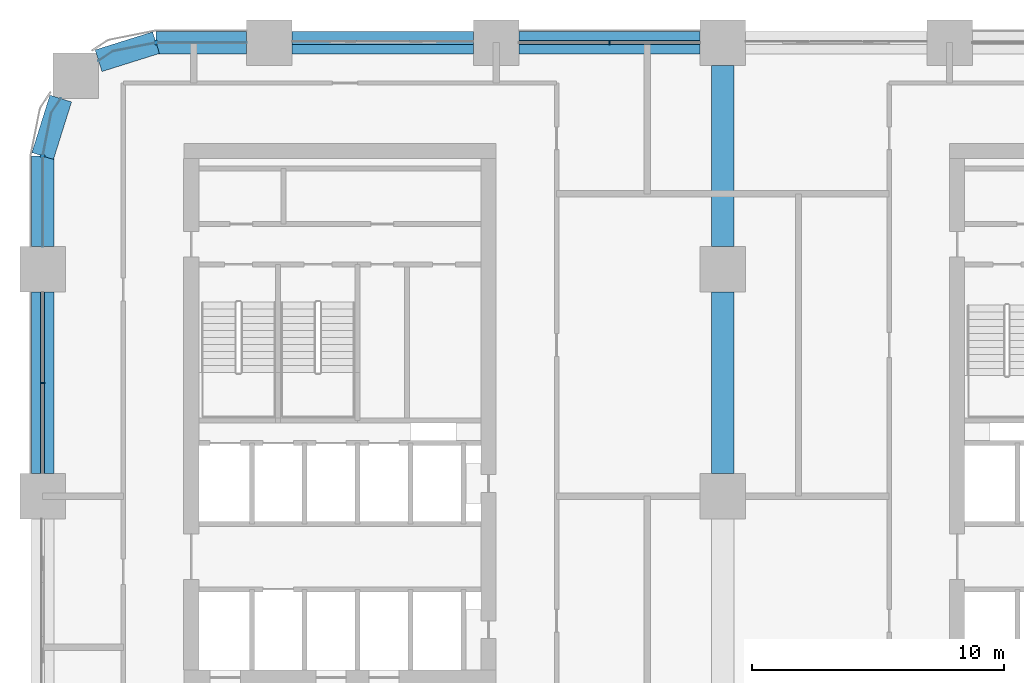
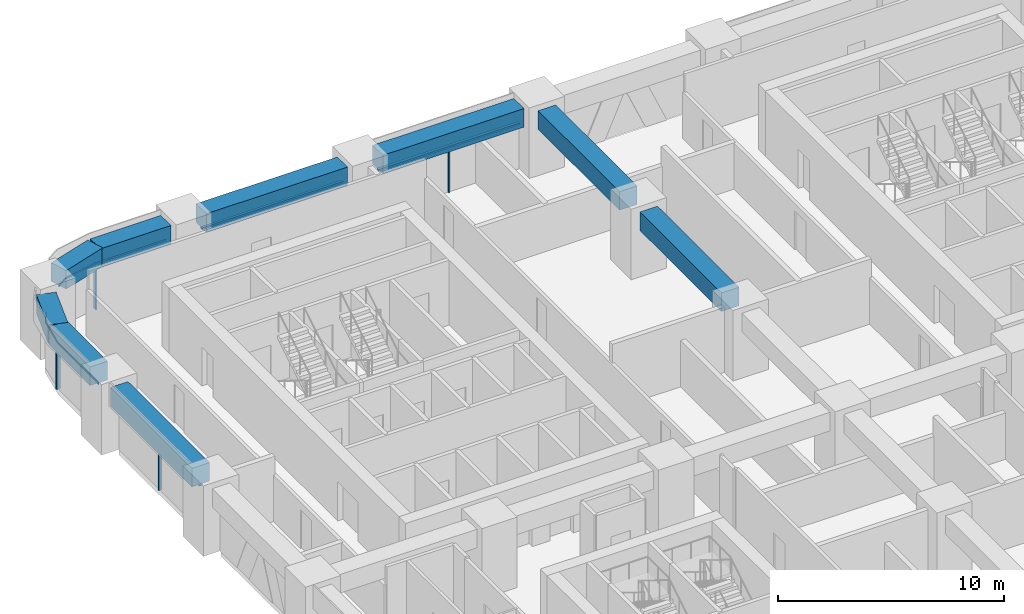
# One storey, part 8 of 21: 9 beams, 9 members, 5 elements without a shape of their own.
"""IFC4 building model written with IfcOpenShell, lengths in metres."""

from ifc_helpers import new_model, si_unit, direction, frame, origin, origin_2d, place, context, subcontext, project, spatial, polyline, rectangle, outline, extrude, material, material_profile, profile_set, type_object, element, aggregate, save


model = new_model("IFC4")

# Units and contexts
model_context = context("Model", 3, precision=1e-05, world=origin(), true_north=direction((0.0, 1.0)))
body_context = subcontext(model_context, "Body", "Model", "MODEL_VIEW")
ifc_project = project(units=[si_unit("LENGTHUNIT", "METRE"), si_unit("AREAUNIT", "SQUARE_METRE"), si_unit("VOLUMEUNIT", "CUBIC_METRE"), si_unit("PLANEANGLEUNIT", "RADIAN"), si_unit("MASSUNIT", "GRAM", prefix="KILO")], contexts=[model_context])

# Site, building, storey
site_placement = place(None, origin())
site = spatial("IfcSite", under=ifc_project, at=site_placement, CompositionType="ELEMENT")
building_placement = place(site_placement, origin())
building = spatial("IfcBuilding", under=site, at=building_placement, Name="Tessera Arch", CompositionType="ELEMENT")
storey_placement = place(building_placement, frame((0.0, 0.0, 65.199951171875)))
storey = spatial("IfcBuildingStorey", under=building, at=storey_placement, Name="L14", CompositionType="ELEMENT", Elevation=65.199951171875)

# Curtain wall, member
ifc_material_1 = material(Name="CW1 curtain wall")
curtain_wall_type_1 = type_object("IfcCurtainWallType", Name="CW1 curtain wall", PredefinedType="NOTDEFINED", material=ifc_material_1)
curtain_wall_1_placement = place(storey_placement, origin())
curtain_wall_1 = element("IfcCurtainWall", 1, at=curtain_wall_1_placement, inside=storey, type_object=curtain_wall_type_1, Name="CW1 curtain wall N54.0/3 L14", PredefinedType="NOTDEFINED")
ifc_material_2 = material(Name="Anodised aluminium pale metal", Category="aluminium")
ifc_material_profile_1 = material_profile(ifc_material_2, rectangle(XDim=0.159912109375, YDim=0.06005859375, at=origin_2d()), Name="AL 60x160")
ifc_profile_set_1 = profile_set([ifc_material_profile_1], Name="Anodised aluminium pale metal")
member_type_1 = type_object("IfcMemberType", Name="CW1 mullion", PredefinedType="MULLION", material=ifc_profile_set_1)
member_1_placement = place(storey_placement, frame((22.5, 54.0, 0.0), z_axis=(0.0, 0.0, 1.0), x_axis=(0.0, -1.0, 0.0)))
member_1 = element("IfcMember", 2, at=member_1_placement, type_object=member_type_1, Name="CW1 mullion N54.0/3 1", PredefinedType="MULLION", context=body_context, shape_type="SweptSolid", body=[
    extrude(rectangle(XDim=0.159912109375, YDim=0.06005859375, at=origin_2d()), origin(), (0.0, 0.0, 1.0), 2.400146484375),
])

curtain_wall_2_placement = place(storey_placement, origin())
curtain_wall_2 = element("IfcCurtainWall", 3, at=curtain_wall_2_placement, inside=storey, type_object=curtain_wall_type_1, Name="CW1 curtain wall W0.0/1 L14", PredefinedType="NOTDEFINED")
member_2_placement = place(storey_placement, frame((0.0, 40.5, 0.0), z_axis=(0.0, 0.0, 1.0), x_axis=(1.0, 0.0, 0.0)))
member_2 = element("IfcMember", 4, at=member_2_placement, type_object=member_type_1, Name="CW1 mullion W0.0/1 1", PredefinedType="MULLION", context=body_context, shape_type="SweptSolid", body=[
    extrude(rectangle(XDim=0.159912109375, YDim=0.06005859375, at=origin_2d()), origin(), (0.0, 0.0, 1.0), 2.400146484375),
])

# Member
ifc_material_3 = material(Name="Anodised aluminium pale metal", Category="aluminium")
ifc_material_profile_2 = material_profile(ifc_material_3, rectangle(XDim=0.159912109375, YDim=0.10009765625, at=origin_2d()), Name="AL 160x100")
ifc_profile_set_2 = profile_set([ifc_material_profile_2], Name="Anodised aluminium pale metal")
member_type_2 = type_object("IfcMemberType", Name="CW1 transom", PredefinedType="USERDEFINED", material=ifc_profile_set_2)
member_3_placement = place(storey_placement, frame((26.10009765625, 54.0, 2.449951171875), z_axis=(-1.0, 0.0, 0.0), x_axis=(0.0, -1.0, 0.0)))
member_3 = element("IfcMember", 5, at=member_3_placement, type_object=member_type_2, Name="CW1 transom N54.0/3 1.1", ObjectType="TRANSOM", PredefinedType="USERDEFINED", context=body_context, shape_type="SweptSolid", body=[
    extrude(rectangle(XDim=0.159912109375, YDim=0.10009765625, at=origin_2d()), origin(), (0.0, 0.0, 1.0), 7.2001953125),
])

aggregate(curtain_wall_1, [member_1, member_3])

member_4_placement = place(storey_placement, frame((0.0, 44.10009765625, 2.449951171875), z_axis=(0.0, -1.0, 0.0), x_axis=(1.0, 0.0, 0.0)))
member_4 = element("IfcMember", 6, at=member_4_placement, type_object=member_type_2, Name="CW1 transom W0.0/1 1.1", ObjectType="TRANSOM", PredefinedType="USERDEFINED", context=body_context, shape_type="SweptSolid", body=[
    extrude(rectangle(XDim=0.159912109375, YDim=0.10009765625, at=origin_2d()), origin(), (0.0, 0.0, 1.0), 7.2001953125),
])

aggregate(curtain_wall_2, [member_2, member_4])

# Curtain wall, member
ifc_material_4 = material(Name="CW2 curtain wall")
curtain_wall_type_2 = type_object("IfcCurtainWallType", Name="CW2 curtain wall", PredefinedType="NOTDEFINED", material=ifc_material_4)
curtain_wall_3_placement = place(storey_placement, origin())
curtain_wall_3 = element("IfcCurtainWall", 7, at=curtain_wall_3_placement, inside=storey, type_object=curtain_wall_type_2, Name="CW2 curtain wall N54.0/5 L14", PredefinedType="NOTDEFINED")
ifc_material_5 = material(Name="Anodised aluminium pale metal", Category="aluminium")
ifc_material_profile_3 = material_profile(ifc_material_5, rectangle(XDim=0.199951171875, YDim=0.080078125, at=origin_2d()), Name="AL 80x200")
ifc_profile_set_3 = profile_set([ifc_material_profile_3], Name="Anodised aluminium pale metal")
member_type_3 = type_object("IfcMemberType", Name="CW2 mullion", PredefinedType="MULLION", material=ifc_profile_set_3)
member_5_placement = place(storey_placement, frame((4.5, 54.0, 0.0), z_axis=(0.0, 0.0, 1.0), x_axis=(0.0, -1.0, 0.0)))
member_5 = element("IfcMember", 8, at=member_5_placement, type_object=member_type_3, Name="CW2 mullion N54.0/5 1", PredefinedType="MULLION", context=body_context, shape_type="SweptSolid", body=[
    extrude(rectangle(XDim=0.199951171875, YDim=0.080078125, at=origin_2d()), origin(), (0.0, 0.0, 1.0), 2.400146484375),
])

curtain_wall_4_placement = place(storey_placement, origin())
curtain_wall_4 = element("IfcCurtainWall", 9, at=curtain_wall_4_placement, inside=storey, type_object=curtain_wall_type_2, Name="CW2 curtain wall W0.0/0 L14", PredefinedType="NOTDEFINED")
member_6_placement = place(storey_placement, frame((0.0, 49.5, 0.0), z_axis=(0.0, 0.0, 1.0), x_axis=(1.0, 0.0, 0.0)))
member_6 = element("IfcMember", 10, at=member_6_placement, type_object=member_type_3, Name="CW2 mullion W0.0/0 1", PredefinedType="MULLION", context=body_context, shape_type="SweptSolid", body=[
    extrude(rectangle(XDim=0.199951171875, YDim=0.080078125, at=origin_2d()), origin(), (0.0, 0.0, 1.0), 2.400146484375),
])

# Member
ifc_material_6 = material(Name="Anodised aluminium pale metal", Category="aluminium")
ifc_material_profile_4 = material_profile(ifc_material_6, rectangle(XDim=0.199951171875, YDim=0.10009765625, at=origin_2d()), Name="AL 200x100")
ifc_profile_set_4 = profile_set([ifc_material_profile_4], Name="Anodised aluminium pale metal")
member_type_4 = type_object("IfcMemberType", Name="CW2 transom", PredefinedType="USERDEFINED", material=ifc_profile_set_4)
member_7_placement = place(storey_placement, frame((0.0, 0.0, 2.400146484375)))
member_7 = element("IfcMember", 11, at=member_7_placement, type_object=member_type_4, Name="CW2 transom N54.0/5 1", ObjectType="TRANSOM", PredefinedType="USERDEFINED", context=body_context, shape_type="SweptSolid", body=[
    extrude(outline(polyline([(4.5009765625, 53.989990234375), (8.10009765625, 53.989990234375), (8.10009765625, 54.010009765625), (4.4990234375, 54.010009765625), (2.77392578125, 53.6669921875), (2.21240234375, 53.29150390625), (2.2236328125, 53.27490234375), (2.78173828125, 53.648193359375), (4.5009765625, 53.989990234375)])), origin(), (0.0, 0.0, 1.0), 0.099853515625),
])

aggregate(curtain_wall_3, [member_5, member_7])

member_8_placement = place(storey_placement, frame((0.0, 0.0, 2.400146484375)))
member_8 = element("IfcMember", 12, at=member_8_placement, type_object=member_type_4, Name="CW2 transom W0.0/0 1", ObjectType="TRANSOM", PredefinedType="USERDEFINED", context=body_context, shape_type="SweptSolid", body=[
    extrude(outline(polyline([(0.351806640625, 51.21826171875), (0.72509765625, 51.7763671875), (0.70849609375, 51.78759765625), (0.3330078125, 51.22607421875), (-0.010009765625, 49.5009765625), (-0.010009765625, 45.89990234375), (0.010009765625, 45.89990234375), (0.010009765625, 49.4990234375), (0.351806640625, 51.21826171875)])), origin(), (0.0, 0.0, 1.0), 0.099853515625),
])

aggregate(curtain_wall_4, [member_6, member_8])

# Curtain wall, member
ifc_material_7 = material(Name="CW3 curtain wall")
curtain_wall_type_3 = type_object("IfcCurtainWallType", Name="CW3 curtain wall", PredefinedType="NOTDEFINED", material=ifc_material_7)
curtain_wall_5_placement = place(storey_placement, origin())
curtain_wall_5 = element("IfcCurtainWall", 13, at=curtain_wall_5_placement, inside=storey, type_object=curtain_wall_type_3, Name="CW3 curtain wall N54.0/4 L14", PredefinedType="NOTDEFINED")
ifc_material_8 = material(Name="Anodised aluminium pale metal", Category="aluminium")
ifc_material_profile_5 = material_profile(ifc_material_8, rectangle(XDim=0.139892578125, YDim=0.10009765625, at=origin_2d()), Name="AL 140x100")
ifc_profile_set_5 = profile_set([ifc_material_profile_5], Name="Anodised aluminium pale metal")
member_type_5 = type_object("IfcMemberType", Name="CW3 transom", PredefinedType="USERDEFINED", material=ifc_profile_set_5)
member_9_placement = place(storey_placement, frame((17.10009765625, 54.0, 2.449951171875), z_axis=(-1.0, 0.0, 0.0), x_axis=(0.0, -1.0, 0.0)))
member_9 = element("IfcMember", 14, at=member_9_placement, type_object=member_type_5, Name="CW3 transom N54.0/4 1.1", ObjectType="TRANSOM", PredefinedType="USERDEFINED", context=body_context, shape_type="SweptSolid", body=[
    extrude(rectangle(XDim=0.139892578125, YDim=0.10009765625, at=origin_2d()), origin(), (0.0, 0.0, 1.0), 7.2001953125),
])
aggregate(curtain_wall_5, [member_9])

# Beams
ifc_material_9 = material(Name="Concrete C80/95", Category="concrete")
ifc_material_profile_6 = material_profile(ifc_material_9, rectangle(XDim=0.89990234375, YDim=1.0, at=origin_2d()), Name="RC spandrel beam 900 x 1000 Concrete C80/95")
ifc_profile_set_6 = profile_set([ifc_material_profile_6], Name="Concrete C80/95")
beam_type = type_object("IfcBeamType", Name="RC spandrel beam 900 x 1000 Concrete C80/95", PredefinedType="BEAM", material=ifc_profile_set_6)
for number, where, z_axis, x_axis, name in (
    (15, (26.10009765625, 54.0, 3.0), (-1.0, 0.0, 0.0), (0.0, -1.0, 0.0), "Spandrel beam L14 N54.0/3"),
    (16, (17.10009765625, 54.0, 3.0), (-1.0, 0.0, 0.0), (0.0, -1.0, 0.0), "Spandrel beam L14 N54.0/4"),
):
    element("IfcBeam", number, at=place(storey_placement, frame(where, z_axis=z_axis, x_axis=x_axis)), inside=storey, type_object=beam_type, Name=name, PredefinedType="BEAM", context=body_context, shape_type="SweptSolid", body=[
        extrude(rectangle(XDim=0.89990234375, YDim=1.0, at=origin_2d()), origin(), (0.0, 0.0, 1.0), 7.2001953125),
    ])
beam_1_placement = place(storey_placement, frame((8.10009765625, 54.0, 3.0), z_axis=(-1.0, 0.0, 0.0), x_axis=(0.0, -1.0, 0.0)))
element("IfcBeam", 17, at=beam_1_placement, inside=storey, type_object=beam_type, Name="Spandrel beam L14 N54.0/5.1", PredefinedType="BEAM", context=body_context, shape_type="SweptSolid", body=[
    extrude(rectangle(XDim=0.89990234375, YDim=1.0, at=origin_2d()), origin(), (0.0, 0.0, 1.0), 3.60009765625),
])
for number, where, z_axis, x_axis, name in (
    (18, (4.5, 54.0, 3.0), (-0.954041251279, -0.299675309057, 0.0), (0.299675309057, -0.954041251279, 0.0), "Spandrel beam L14 N54.0/5.2"),
    (19, (0.716796875, 51.781982421875, 3.0), (-0.299675309057, -0.954041251279, 0.0), (0.954041251279, -0.299675309057, 0.0), "Spandrel beam L14 W0.0/0.1"),
):
    element("IfcBeam", number, at=place(storey_placement, frame(where, z_axis=z_axis, x_axis=x_axis)), inside=storey, type_object=beam_type, Name=name, PredefinedType="BEAM", context=body_context, shape_type="SweptSolid", body=[
        extrude(rectangle(XDim=0.89990234375, YDim=1.0, at=origin_2d()), origin(), (0.0, 0.0, 1.0), 2.391845703125),
    ])
beam_2_placement = place(storey_placement, frame((0.0, 49.5, 3.0), z_axis=(0.0, -1.0, 0.0), x_axis=(1.0, 0.0, 0.0)))
element("IfcBeam", 20, at=beam_2_placement, inside=storey, type_object=beam_type, Name="Spandrel beam L14 W0.0/0.2", PredefinedType="BEAM", context=body_context, shape_type="SweptSolid", body=[
    extrude(rectangle(XDim=0.89990234375, YDim=1.0, at=origin_2d()), origin(), (0.0, 0.0, 1.0), 3.60009765625),
])
for number, where, z_axis, x_axis, name in (
    (21, (0.0, 44.10009765625, 3.0), (0.0, -1.0, 0.0), (1.0, 0.0, 0.0), "Spandrel beam L14 W0.0/1"),
    (22, (27.0, 36.89990234375, 3.0), (0.0, 1.0, 0.0), (-1.0, 0.0, 0.0), "Interface beam L14 I0C4E-C4F"),
    (23, (27.0, 45.89990234375, 3.0), (0.0, 1.0, 0.0), (-1.0, 0.0, 0.0), "Interface beam L14 I0C4F-C4G"),
):
    element("IfcBeam", number, at=place(storey_placement, frame(where, z_axis=z_axis, x_axis=x_axis)), inside=storey, type_object=beam_type, Name=name, PredefinedType="BEAM", context=body_context, shape_type="SweptSolid", body=[
        extrude(rectangle(XDim=0.89990234375, YDim=1.0, at=origin_2d()), origin(), (0.0, 0.0, 1.0), 7.2001953125),
    ])

save(model, "model.ifc")
